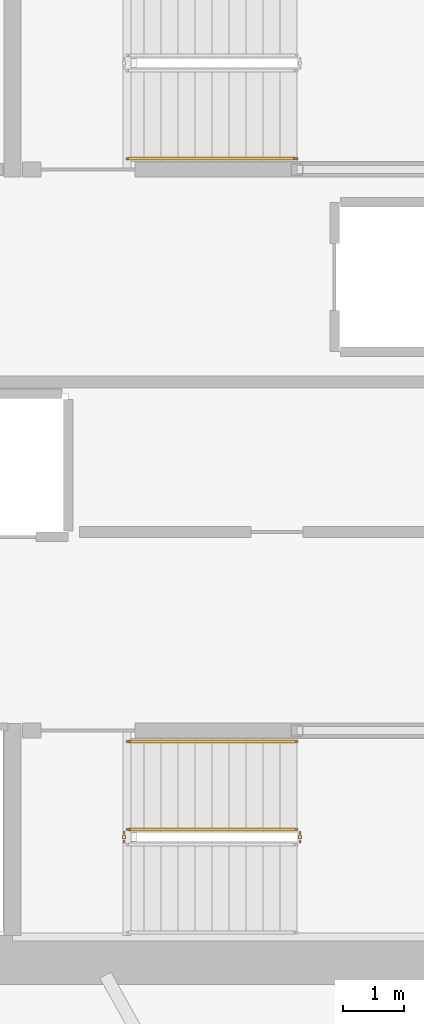
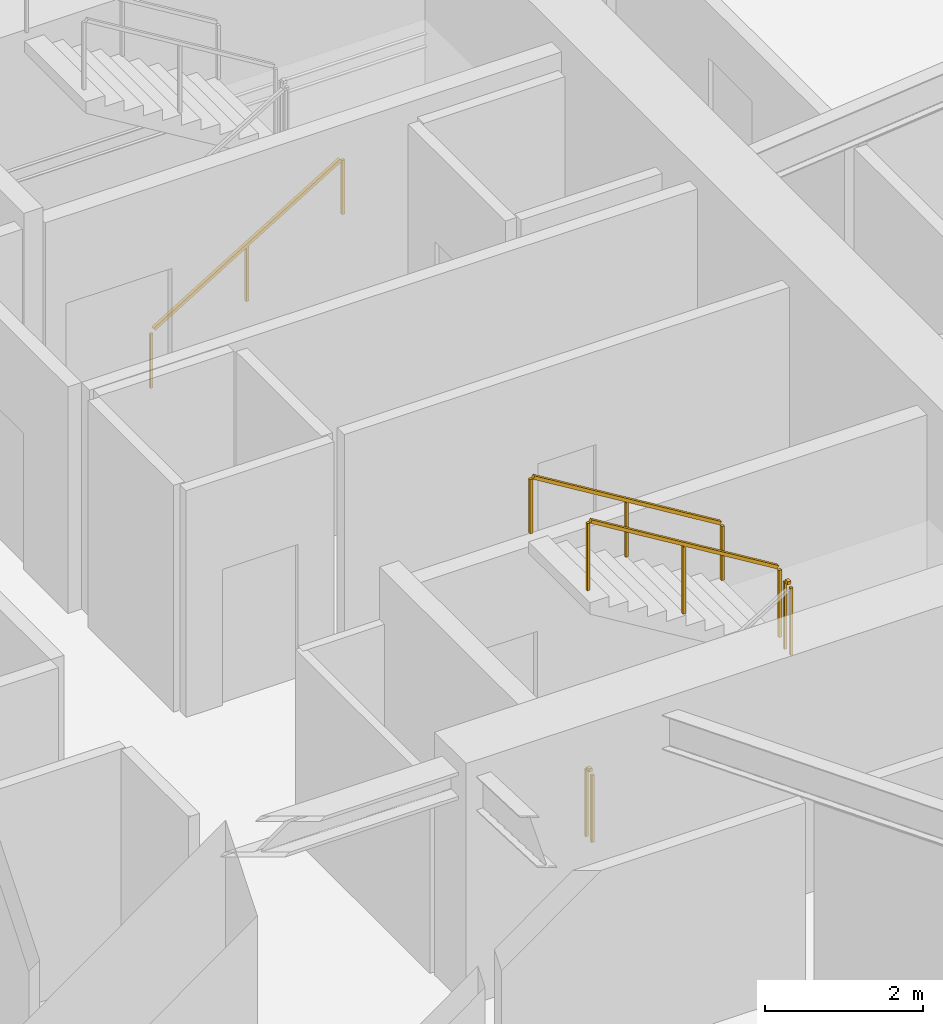
# One storey, part 20 of 23: 5 railings.
"""IFC4 building model written with IfcOpenShell, lengths in metres."""

from ifc_helpers import new_model, si_unit, direction, frame, origin, origin_2d, place, context, subcontext, project, spatial, rectangle, extrude, material, type_object, element, save


model = new_model("IFC4")

# Units and contexts
model_context = context("Model", 3, precision=1e-05, world=origin(), true_north=direction((0.0, 1.0)))
body_context = subcontext(model_context, "Body", "Model", "MODEL_VIEW")
ifc_project = project(units=[si_unit("LENGTHUNIT", "METRE"), si_unit("AREAUNIT", "SQUARE_METRE"), si_unit("VOLUMEUNIT", "CUBIC_METRE"), si_unit("PLANEANGLEUNIT", "RADIAN"), si_unit("MASSUNIT", "GRAM", prefix="KILO")], contexts=[model_context])

# Site, building, storey
site_placement = place(None, origin())
site = spatial("IfcSite", under=ifc_project, at=site_placement, CompositionType="ELEMENT")
building_placement = place(site_placement, origin())
building = spatial("IfcBuilding", under=site, at=building_placement, Name="Kazma Halo Residences", CompositionType="ELEMENT")
storey_placement = place(building_placement, frame((0.0, 0.0, 97.64990234375)))
storey = spatial("IfcBuildingStorey", under=building, at=storey_placement, Name="L24", CompositionType="ELEMENT", Elevation=97.64990234375)

# Railings
ifc_material_1 = material(Name="Painted Steel S355", Category="steel")
railing_type_1 = type_object("IfcRailingType", Name="RLG-STAIR-GRD-1100", PredefinedType="GUARDRAIL", material=ifc_material_1)
railing_1_placement = place(storey_placement, frame((56.050048828125, 35.550048828125, 1.875)))
element("IfcRailing", 1, at=railing_1_placement, inside=storey, type_object=railing_type_1, Name="L24 ST-03 stair guard 2", PredefinedType="GUARDRAIL", context=body_context, shape_type="SweptSolid", body=[
    extrude(rectangle(XDim=0.050048828125, YDim=0.050048828125, at=origin_2d()), frame((0.0, 0.04248046875, 1.0751953125), z_axis=(0.0, 1.0, 0.0), x_axis=(-1.0, 0.0, 0.0)), (0.0, 0.0, 1.0), 0.06494140625),
    extrude(rectangle(XDim=0.0400390625, YDim=0.0400390625, at=origin_2d()), origin(), (0.0, 0.0, 1.0), 1.0380859375),
    extrude(rectangle(XDim=0.0400390625, YDim=0.0400390625, at=origin_2d()), frame((0.0, 0.14990234375, 0.0)), (0.0, 0.0, 1.0), 1.0380859375),
])
railing_2_placement = place(storey_placement, frame((56.0, 35.75, 2.045654296875)))
element("IfcRailing", 2, at=railing_2_placement, inside=storey, type_object=railing_type_1, Name="L24 ST-03 stair guard 3", PredefinedType="GUARDRAIL", context=body_context, shape_type="SweptSolid", body=[
    extrude(rectangle(XDim=0.050048828125, YDim=0.050048828125, at=origin_2d()), frame((-0.036376953125, 0.0, 1.09716796875), z_axis=(-0.854202870247, 0.0, 0.519939858505), x_axis=(0.0, -1.0, 0.0)), (0.0, 0.0, 1.0), 3.19287109375),
    extrude(rectangle(XDim=0.0400390625, YDim=0.0400390625, at=origin_2d()), origin(), (0.0, 0.0, 1.0), 1.0380859375),
    extrude(rectangle(XDim=0.0400390625, YDim=0.0400390625, at=origin_2d()), frame((-1.39990234375, 0.0, 0.85205078125)), (0.0, 0.0, 1.0), 1.0380859375),
    extrude(rectangle(XDim=0.0400390625, YDim=0.0400390625, at=origin_2d()), frame((-2.800048828125, 0.0, 1.704345703125)), (0.0, 0.0, 1.0), 1.0380859375),
])
railing_3_placement = place(storey_placement, frame((53.14990234375, 35.550048828125, 0.0)))
element("IfcRailing", 3, at=railing_3_placement, inside=storey, type_object=railing_type_1, Name="L24 ST-03 stair guard 4", PredefinedType="GUARDRAIL", context=body_context, shape_type="SweptSolid", body=[
    extrude(rectangle(XDim=0.050048828125, YDim=0.050048828125, at=origin_2d()), frame((0.0, 0.04248046875, 1.0751953125), z_axis=(0.0, 1.0, 0.0), x_axis=(-1.0, 0.0, 0.0)), (0.0, 0.0, 1.0), 0.06494140625),
    extrude(rectangle(XDim=0.0400390625, YDim=0.0400390625, at=origin_2d()), origin(), (0.0, 0.0, 1.0), 1.0380859375),
    extrude(rectangle(XDim=0.0400390625, YDim=0.0400390625, at=origin_2d()), frame((0.0, 0.14990234375, 0.0)), (0.0, 0.0, 1.0), 1.0380859375),
])
ifc_material_2 = material(Name="Brushed Stainless Steel", Category="steel")
railing_type_2 = type_object("IfcRailingType", Name="RLG-STAIR-HND-900", PredefinedType="HANDRAIL", material=ifc_material_2)
railing_4_placement = place(storey_placement, frame((53.199951171875, 46.800048828125, 0.170654296875)))
element("IfcRailing", 4, at=railing_4_placement, inside=storey, type_object=railing_type_2, Name="L24 ST-02 stair handrail 1", PredefinedType="HANDRAIL", context=body_context, shape_type="SweptSolid", body=[
    extrude(rectangle(XDim=0.050048828125, YDim=0.050048828125, at=origin_2d()), frame((0.036376953125, 0.0, 0.89697265625), z_axis=(0.854202870247, 0.0, 0.519939858505), x_axis=(0.0, 1.0, 0.0)), (0.0, 0.0, 1.0), 3.19287109375),
    extrude(rectangle(XDim=0.0400390625, YDim=0.0400390625, at=origin_2d()), origin(), (0.0, 0.0, 1.0), 0.837890625),
    extrude(rectangle(XDim=0.0400390625, YDim=0.0400390625, at=origin_2d()), frame((1.39990234375, 0.0, 0.85205078125)), (0.0, 0.0, 1.0), 0.837890625),
    extrude(rectangle(XDim=0.0400390625, YDim=0.0400390625, at=origin_2d()), frame((2.800048828125, 0.0, 1.704345703125)), (0.0, 0.0, 1.0), 0.837890625),
])
railing_5_placement = place(storey_placement, frame((56.0, 37.199951171875, 2.045654296875)))
element("IfcRailing", 5, at=railing_5_placement, inside=storey, type_object=railing_type_2, Name="L24 ST-03 stair handrail 2", PredefinedType="HANDRAIL", context=body_context, shape_type="SweptSolid", body=[
    extrude(rectangle(XDim=0.050048828125, YDim=0.050048828125, at=origin_2d()), frame((-0.036376953125, 0.0, 0.89697265625), z_axis=(-0.854202870247, 0.0, 0.519939858505), x_axis=(0.0, -1.0, 0.0)), (0.0, 0.0, 1.0), 3.19287109375),
    extrude(rectangle(XDim=0.0400390625, YDim=0.0400390625, at=origin_2d()), origin(), (0.0, 0.0, 1.0), 0.837890625),
    extrude(rectangle(XDim=0.0400390625, YDim=0.0400390625, at=origin_2d()), frame((-1.39990234375, 0.0, 0.85205078125)), (0.0, 0.0, 1.0), 0.837890625),
    extrude(rectangle(XDim=0.0400390625, YDim=0.0400390625, at=origin_2d()), frame((-2.800048828125, 0.0, 1.704345703125)), (0.0, 0.0, 1.0), 0.837890625),
])

save(model, "model.ifc")
